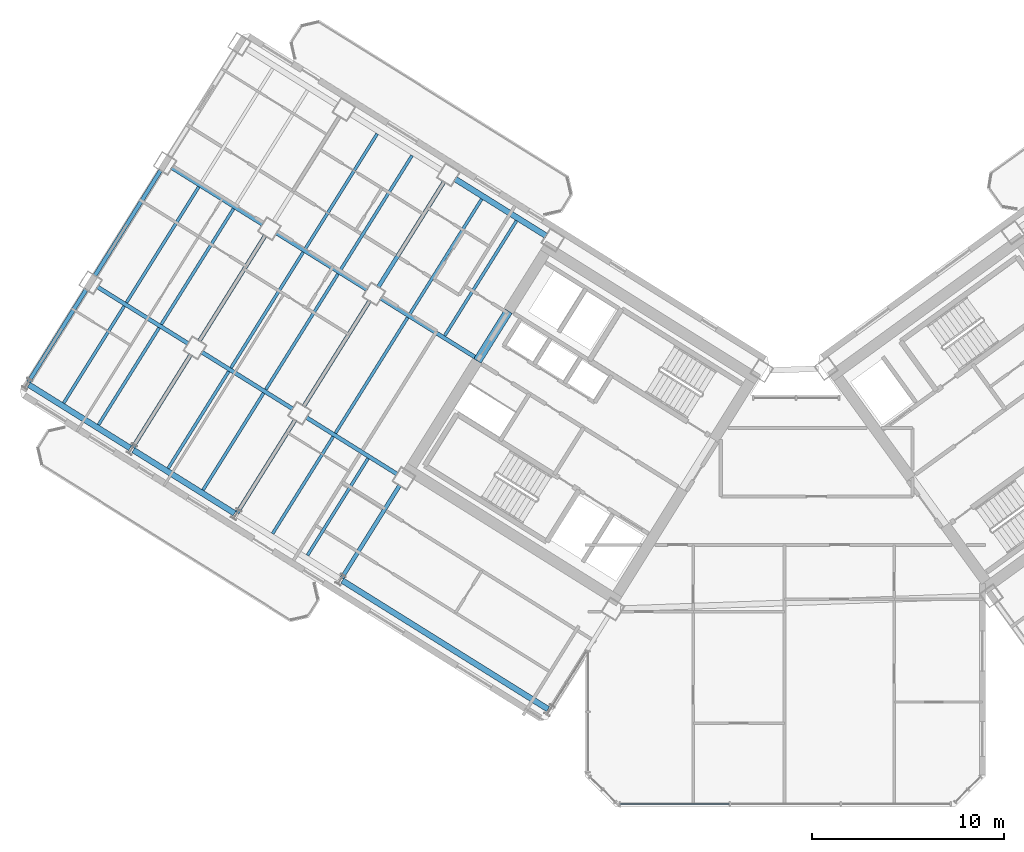
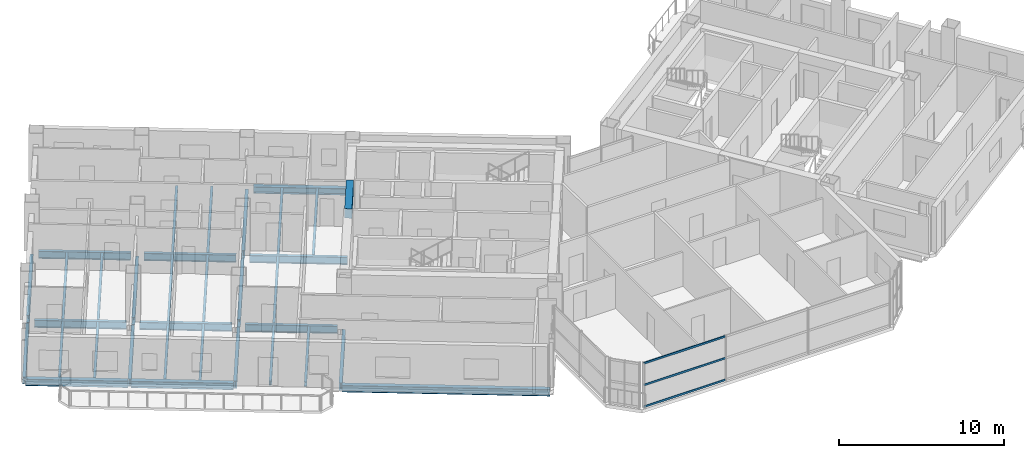
# One storey, part 7 of 25: 34 beams, 3 members, 1 element without a shape of its own.
"""IFC4 building model written with IfcOpenShell, lengths in metres."""

from ifc_helpers import new_model, si_unit, direction, frame, origin, origin_2d, place, context, subcontext, project, spatial, rectangle, hollow_rectangle, i_section, extrude, source, transform, mapped, material, material_profile, profile_set, type_object, element, aggregate, save


model = new_model("IFC4")

# Units and contexts
model_context = context("Model", 3, precision=1e-05, world=origin(), true_north=direction((0.0, 1.0)))
body_context = subcontext(model_context, "Body", "Model", "MODEL_VIEW")
ifc_project = project(units=[si_unit("LENGTHUNIT", "METRE"), si_unit("AREAUNIT", "SQUARE_METRE"), si_unit("VOLUMEUNIT", "CUBIC_METRE"), si_unit("PLANEANGLEUNIT", "RADIAN"), si_unit("MASSUNIT", "GRAM", prefix="KILO")], contexts=[model_context])

# Site, building, storey
site_placement = place(None, origin())
site = spatial("IfcSite", under=ifc_project, at=site_placement, CompositionType="ELEMENT")
building_placement = place(site_placement, origin())
building = spatial("IfcBuilding", under=site, at=building_placement, Name="Tlacorven Tower", CompositionType="ELEMENT")
storey_placement = place(building_placement, frame((0.0, 0.0, 162.300048828125)))
storey = spatial("IfcBuildingStorey", under=building, at=storey_placement, Name="L41", CompositionType="ELEMENT", Elevation=162.300048828125)

# Beams
ifc_material_1 = material(Name="Concrete C60/75", Category="concrete")
ifc_material_profile_1 = material_profile(ifc_material_1, rectangle(XDim=0.449951171875, YDim=0.699951171875, at=origin_2d()), Name="RC 450X700")
ifc_profile_set_1 = profile_set([ifc_material_profile_1], Name="Concrete C60/75")
beam_type_1 = type_object("IfcBeamType", Name="BM-LNT-700", PredefinedType="LINTEL", material=ifc_profile_set_1)
shared_shape_1 = source(origin(), body_context, "Body", "SweptSolid", [
    extrude(rectangle(XDim=0.449951171875, YDim=0.699951171875, at=origin_2d()), origin(), (0.0, 0.0, 1.0), 3.0498046875),
])
beam_1_placement = place(storey_placement, frame((27.622802734375, 27.562255859375, 3.0), z_axis=(-0.529926983584, -0.848043272522, 0.0), x_axis=(0.848043272522, -0.529926983584, 0.0)))
element("IfcBeam", 1, at=beam_1_placement, inside=storey, type_object=beam_type_1, Name="L41 W core coupling lintel beam E2", PredefinedType="LINTEL", context=body_context, shape_type="MappedRepresentation", body=[
    mapped(shared_shape_1, transform((0.0, 0.0, 0.0), scale=1.0)),
])
ifc_material_2 = material(Name="Steel S355J2", Category="steel")
ifc_material_profile_2 = material_profile(ifc_material_2, i_section(OverallWidth=0.300048828125, OverallDepth=0.489990234375, WebThickness=0.011962890625, FlangeThickness=0.02294921875, at=origin_2d()), Name="HEA 500")
ifc_profile_set_2 = profile_set([ifc_material_profile_2], Name="Steel S355J2")
beam_type_2 = type_object("IfcBeamType", Name="BM-SPN-500", PredefinedType="SPANDREL", material=ifc_profile_set_2)
shared_shape_2 = source(origin(), body_context, "Body", "SweptSolid", [
    extrude(i_section(OverallWidth=0.300048828125, OverallDepth=0.489990234375, WebThickness=0.011962890625, FlangeThickness=0.02294921875, at=origin_2d()), origin(), (0.0, 0.0, 1.0), 12.599853515625),
])
beam_2_placement = place(storey_placement, frame((29.67578125, 6.882080078125, -0.4951171875), z_axis=(-0.848045108756, 0.529924045043, 0.0), x_axis=(-0.529924045043, -0.848045108756, 0.0)))
element("IfcBeam", 2, at=beam_2_placement, inside=storey, type_object=beam_type_2, Name="L41 beam BM-L41-WL4-1", PredefinedType="SPANDREL", context=body_context, shape_type="MappedRepresentation", body=[
    mapped(shared_shape_2, transform((0.0, 0.0, 0.0), scale=1.0)),
])
shared_shape_3 = source(origin(), body_context, "Body", "SweptSolid", [
    extrude(i_section(OverallWidth=0.300048828125, OverallDepth=0.489990234375, WebThickness=0.011962890625, FlangeThickness=0.02294921875, at=origin_2d()), origin(), (0.0, 0.0, 1.0), 6.199951171875),
])
for number, where, z_axis, x_axis, name in (
    (3, (13.393310546875, 17.056396484375, -0.4951171875), (-0.848033697614, 0.529942306022, 0.0), (-0.529942306022, -0.848033697614, 0.0), "L41 beam BM-L41-WL4-4"),
    (4, (7.9658203125, 20.447998046875, -0.4951171875), (-0.848051394107, 0.529913986372, 0.0), (-0.529913986372, -0.848051394107, 0.0), "L41 beam BM-L41-WL4-5"),
):
    element("IfcBeam", number, at=place(storey_placement, frame(where, z_axis=z_axis, x_axis=x_axis)), inside=storey, type_object=beam_type_2, Name=name, PredefinedType="SPANDREL", context=body_context, shape_type="MappedRepresentation", body=[
        mapped(shared_shape_3, transform((0.0, 0.0, 0.0), scale=1.0)),
    ])
ifc_material_profile_3 = material_profile(ifc_material_2, i_section(OverallWidth=0.2099609375, OverallDepth=0.550048828125, WebThickness=0.010986328125, FlangeThickness=0.01708984375, at=origin_2d()), Name="IPE 550")
ifc_profile_set_3 = profile_set([ifc_material_profile_3], Name="Steel S355J2")
beam_type_3 = type_object("IfcBeamType", Name="BM-TWR-550", PredefinedType="BEAM", material=ifc_profile_set_3)
shared_shape_4 = source(origin(), body_context, "Body", "SweptSolid", [
    extrude(i_section(OverallWidth=0.2099609375, OverallDepth=0.550048828125, WebThickness=0.010986328125, FlangeThickness=0.01708984375, at=origin_2d()), origin(), (0.0, 0.0, 1.0), 5.599853515625),
])
for number, where, z_axis, x_axis, name in (
    (5, (20.292724609375, 28.6640625, -0.525146484375), (-0.848047285686, 0.529920561254, 0.0), (-0.529920561254, -0.848047285686, 0.0), "L41 beam BM-L41-WL2-4"),
    (6, (21.851806640625, 19.081787109375, -0.525146484375), (-0.848047285686, 0.529920561254, 0.0), (-0.529920561254, -0.848047285686, 0.0), "L41 beam BM-L41-WL3-3"),
    (7, (16.42431640625, 22.473388671875, -0.525146484375), (-0.848047285686, 0.529920561254, 0.0), (-0.529920561254, -0.848047285686, 0.0), "L41 beam BM-L41-WL3-4"),
    (8, (10.996826171875, 25.86474609375, -0.525146484375), (-0.848047285686, 0.529920561254, 0.0), (-0.529920561254, -0.848047285686, 0.0), "L41 beam BM-L41-WL3-5"),
):
    element("IfcBeam", number, at=place(storey_placement, frame(where, z_axis=z_axis, x_axis=x_axis)), inside=storey, type_object=beam_type_3, Name=name, PredefinedType="BEAM", context=body_context, shape_type="MappedRepresentation", body=[
        mapped(shared_shape_4, transform((0.0, 0.0, 0.0), scale=1.0)),
    ])
shared_shape_5 = source(origin(), body_context, "Body", "SweptSolid", [
    extrude(i_section(OverallWidth=0.2099609375, OverallDepth=0.550048828125, WebThickness=0.010986328125, FlangeThickness=0.01708984375, at=origin_2d()), origin(), (0.0, 0.0, 1.0), 5.960205078125),
])
beam_3_placement = place(storey_placement, frame((26.025634765625, 25.081787109375, -0.525146484375), z_axis=(-0.848042024898, 0.529928980153, 0.0), x_axis=(-0.529928980153, -0.848042024898, 0.0)))
element("IfcBeam", 9, at=beam_3_placement, inside=storey, type_object=beam_type_3, Name="L41 beam BM-L41-WL2-3", PredefinedType="BEAM", context=body_context, shape_type="MappedRepresentation", body=[
    mapped(shared_shape_5, transform((0.0, 0.0, 0.0), scale=1.0)),
])
shared_shape_6 = source(origin(), body_context, "Body", "SweptSolid", [
    extrude(i_section(OverallWidth=0.2099609375, OverallDepth=0.550048828125, WebThickness=0.010986328125, FlangeThickness=0.01708984375, at=origin_2d()), origin(), (0.0, 0.0, 1.0), 5.60009765625),
])
beam_4_placement = place(storey_placement, frame((14.865234375, 32.055419921875, -0.525146484375), z_axis=(-0.848027693204, 0.529951914384, 0.0), x_axis=(-0.529951914384, -0.848027693204, 0.0)))
element("IfcBeam", 10, at=beam_4_placement, inside=storey, type_object=beam_type_3, Name="L41 beam BM-L41-WL2-5", PredefinedType="BEAM", context=body_context, shape_type="MappedRepresentation", body=[
    mapped(shared_shape_6, transform((0.0, 0.0, 0.0), scale=1.0)),
])
shared_shape_7 = source(origin(), body_context, "Body", "SweptSolid", [
    extrude(i_section(OverallWidth=0.300048828125, OverallDepth=0.489990234375, WebThickness=0.011962890625, FlangeThickness=0.02294921875, at=origin_2d()), origin(), (0.0, 0.0, 1.0), 5.599853515625),
])
beam_5_placement = place(storey_placement, frame((29.588623046875, 31.46337890625, -0.4951171875), z_axis=(-0.848047285686, 0.529920561254, 0.0), x_axis=(-0.529920561254, -0.848047285686, 0.0)))
element("IfcBeam", 11, at=beam_5_placement, inside=storey, type_object=beam_type_2, Name="L41 beam BM-L41-WL1-3", PredefinedType="SPANDREL", context=body_context, shape_type="MappedRepresentation", body=[
    mapped(shared_shape_7, transform((0.0, 0.0, 0.0), scale=1.0)),
])
shared_shape_8 = source(origin(), body_context, "Body", "SweptSolid", [
    extrude(i_section(OverallWidth=0.2099609375, OverallDepth=0.550048828125, WebThickness=0.010986328125, FlangeThickness=0.01708984375, at=origin_2d()), origin(), (0.0, 0.0, 1.0), 5.7001953125),
])
for number, where, z_axis, x_axis, name in (
    (12, (16.5517578125, 21.922119140625, -0.525146484375), (-0.529937340199, -0.848036800771, 0.0), (0.848036800771, -0.529937340199, 0.0), "L41 beam BM-L41-WT4-3"),
    (13, (11.1240234375, 25.313720703125, -0.525146484375), (-0.529906537151, -0.848056048787, 0.0), (0.848056048787, -0.529906537151, 0.0), "L41 beam BM-L41-WT5-3"),
    (14, (5.696533203125, 28.705078125, -0.525146484375), (-0.529906537151, -0.848056048787, 0.0), (0.848056048787, -0.529906537151, 0.0), "L41 beam BM-L41-WT6-3"),
):
    element("IfcBeam", number, at=place(storey_placement, frame(where, z_axis=z_axis, x_axis=x_axis)), inside=storey, type_object=beam_type_3, Name=name, PredefinedType="BEAM", context=body_context, shape_type="MappedRepresentation", body=[
        mapped(shared_shape_8, transform((0.0, 0.0, 0.0), scale=1.0)),
    ])
shared_shape_9 = source(origin(), body_context, "Body", "SweptSolid", [
    extrude(i_section(OverallWidth=0.2099609375, OverallDepth=0.550048828125, WebThickness=0.010986328125, FlangeThickness=0.01708984375, at=origin_2d()), origin(), (0.0, 0.0, 1.0), 5.699951171875),
])
beam_6_placement = place(storey_placement, frame((21.979248046875, 18.530517578125, -0.525146484375), z_axis=(-0.5299565889, -0.848024771974, 0.0), x_axis=(0.848024771974, -0.5299565889, 0.0)))
element("IfcBeam", 15, at=beam_6_placement, inside=storey, type_object=beam_type_3, Name="L41 beam BM-L41-WT3-2", PredefinedType="BEAM", context=body_context, shape_type="MappedRepresentation", body=[
    mapped(shared_shape_9, transform((0.0, 0.0, 0.0), scale=1.0)),
])
shared_shape_10 = source(origin(), body_context, "Body", "SweptSolid", [
    extrude(i_section(OverallWidth=0.2099609375, OverallDepth=0.550048828125, WebThickness=0.010986328125, FlangeThickness=0.01708984375, at=origin_2d()), origin(), (0.0, 0.0, 1.0), 6.500244140625),
])
beam_7_placement = place(storey_placement, frame((24.28857421875, 34.3037109375, -0.525146484375), z_axis=(-0.529921287515, -0.848046831866, 0.0), x_axis=(0.848046831866, -0.529921287515, 0.0)))
element("IfcBeam", 16, at=beam_7_placement, inside=storey, type_object=beam_type_3, Name="L41 beam BM-L41-WT4-1", PredefinedType="BEAM", context=body_context, shape_type="MappedRepresentation", body=[
    mapped(shared_shape_10, transform((0.0, 0.0, 0.0), scale=1.0)),
])
shared_shape_11 = source(origin(), body_context, "Body", "SweptSolid", [
    extrude(i_section(OverallWidth=0.2099609375, OverallDepth=0.550048828125, WebThickness=0.010986328125, FlangeThickness=0.01708984375, at=origin_2d()), origin(), (0.0, 0.0, 1.0), 6.5),
])
for number, where, z_axis, x_axis, name in (
    (17, (20.420166015625, 28.11279296875, -0.525146484375), (-0.529938166933, -0.848036284146, 0.0), (0.848036284146, -0.529938166933, 0.0), "L41 beam BM-L41-WT4-2"),
    (18, (14.992431640625, 31.50439453125, -0.525146484375), (-0.529894274829, -0.848063710757, 0.0), (0.848063710757, -0.529894274829, 0.0), "L41 beam BM-L41-WT5-2"),
):
    element("IfcBeam", number, at=place(storey_placement, frame(where, z_axis=z_axis, x_axis=x_axis)), inside=storey, type_object=beam_type_3, Name=name, PredefinedType="BEAM", context=body_context, shape_type="MappedRepresentation", body=[
        mapped(shared_shape_11, transform((0.0, 0.0, 0.0), scale=1.0)),
    ])
shared_shape_12 = source(origin(), body_context, "Body", "SweptSolid", [
    extrude(i_section(OverallWidth=0.2099609375, OverallDepth=0.550048828125, WebThickness=0.010986328125, FlangeThickness=0.01708984375, at=origin_2d()), origin(), (0.0, 0.0, 1.0), 6.499755859375),
])
beam_8_placement = place(storey_placement, frame((9.56494140625, 34.895751953125, -0.525146484375), z_axis=(-0.529911154058, -0.848053163902, 0.0), x_axis=(0.848053163902, -0.529911154058, 0.0)))
element("IfcBeam", 19, at=beam_8_placement, inside=storey, type_object=beam_type_3, Name="L41 beam BM-L41-WT6-2", PredefinedType="BEAM", context=body_context, shape_type="MappedRepresentation", body=[
    mapped(shared_shape_12, transform((0.0, 0.0, 0.0), scale=1.0)),
])
ifc_material_profile_4 = material_profile(ifc_material_2, i_section(OverallWidth=0.159912109375, OverallDepth=0.330078125, WebThickness=0.007568359375, FlangeThickness=0.011474609375, at=origin_2d()), Name="IPE 330")
ifc_profile_set_4 = profile_set([ifc_material_profile_4], Name="Steel S355J2")
beam_type_4 = type_object("IfcBeamType", Name="BM-JST-330", PredefinedType="JOIST", material=ifc_profile_set_4)
shared_shape_13 = source(origin(), body_context, "Body", "SweptSolid", [
    extrude(i_section(OverallWidth=0.159912109375, OverallDepth=0.330078125, WebThickness=0.007568359375, FlangeThickness=0.011474609375, at=origin_2d()), origin(), (0.0, 0.0, 1.0), 5.93505859375),
])
for number, where, z_axis, x_axis, name in (
    (20, (20.32373046875, 19.906982421875, -0.4150390625), (-0.529910194899, -0.848053763238, 0.0), (0.848053763238, -0.529910194899, 0.0), "L41 beam BM-L41-WJ3-3-1"),
    (21, (18.514404296875, 21.03759765625, -0.4150390625), (-0.529910194899, -0.848053763238, 0.0), (0.848053763238, -0.529910194899, 0.0), "L41 beam BM-L41-WJ3-3-2"),
    (22, (14.896240234375, 23.298583984375, -0.4150390625), (-0.529910194899, -0.848053763238, 0.0), (0.848053763238, -0.529910194899, 0.0), "L41 beam BM-L41-WJ4-3-1"),
    (23, (9.46875, 26.68994140625, -0.4150390625), (-0.529939778535, -0.848035277053, 0.0), (0.848035277053, -0.529939778535, 0.0), "L41 beam BM-L41-WJ5-3-1"),
    (24, (7.659423828125, 27.820556640625, -0.4150390625), (-0.529910194899, -0.848053763238, 0.0), (0.848053763238, -0.529910194899, 0.0), "L41 beam BM-L41-WJ5-3-2"),
):
    element("IfcBeam", number, at=place(storey_placement, frame(where, z_axis=z_axis, x_axis=x_axis)), inside=storey, type_object=beam_type_4, Name=name, PredefinedType="JOIST", context=body_context, shape_type="MappedRepresentation", body=[
        mapped(shared_shape_13, transform((0.0, 0.0, 0.0), scale=1.0)),
    ])
shared_shape_14 = source(origin(), body_context, "Body", "SweptSolid", [
    extrude(i_section(OverallWidth=0.159912109375, OverallDepth=0.330078125, WebThickness=0.007568359375, FlangeThickness=0.011474609375, at=origin_2d()), origin(), (0.0, 0.0, 1.0), 7.080078125),
])
beam_9_placement = place(storey_placement, frame((18.7646484375, 29.4892578125, -0.4150390625), z_axis=(-0.529933847046, -0.848038983629, 0.0), x_axis=(0.848038983629, -0.529933847046, 0.0)))
element("IfcBeam", 25, at=beam_9_placement, inside=storey, type_object=beam_type_4, Name="L41 beam BM-L41-WJ4-2-1", PredefinedType="JOIST", context=body_context, shape_type="MappedRepresentation", body=[
    mapped(shared_shape_14, transform((0.0, 0.0, 0.0), scale=1.0)),
])
shared_shape_15 = source(origin(), body_context, "Body", "SweptSolid", [
    extrude(i_section(OverallWidth=0.159912109375, OverallDepth=0.330078125, WebThickness=0.007568359375, FlangeThickness=0.011474609375, at=origin_2d()), origin(), (0.0, 0.0, 1.0), 7.03515625),
])
for number, where, z_axis, x_axis, name in (
    (26, (28.03662109375, 32.25048828125, -0.4150390625), (-0.529920952588, -0.848047041153, 0.0), (0.848047041153, -0.529920952588, 0.0), "L41 beam BM-L41-WJ3-1-1"),
    (27, (26.2275390625, 33.380859375, -0.4150390625), (-0.529920952588, -0.848047041153, 0.0), (0.848047041153, -0.529920952588, 0.0), "L41 beam BM-L41-WJ3-1-2"),
    (28, (22.609130859375, 35.641845703125, -0.4150390625), (-0.529920952588, -0.848047041153, 0.0), (0.848047041153, -0.529920952588, 0.0), "L41 beam BM-L41-WJ4-1-1"),
    (29, (20.800048828125, 36.7724609375, -0.4150390625), (-0.529920952588, -0.848047041153, 0.0), (0.848047041153, -0.529920952588, 0.0), "L41 beam BM-L41-WJ4-1-2"),
):
    element("IfcBeam", number, at=place(storey_placement, frame(where, z_axis=z_axis, x_axis=x_axis)), inside=storey, type_object=beam_type_4, Name=name, PredefinedType="JOIST", context=body_context, shape_type="MappedRepresentation", body=[
        mapped(shared_shape_15, transform((0.0, 0.0, 0.0), scale=1.0)),
    ])
shared_shape_16 = source(origin(), body_context, "Body", "SweptSolid", [
    extrude(i_section(OverallWidth=0.159912109375, OverallDepth=0.330078125, WebThickness=0.007568359375, FlangeThickness=0.011474609375, at=origin_2d()), origin(), (0.0, 0.0, 1.0), 5.934814453125),
])
beam_10_placement = place(storey_placement, frame((13.0869140625, 24.428955078125, -0.4150390625), z_axis=(-0.52992868149, -0.848042211529, 0.0), x_axis=(0.848042211529, -0.52992868149, 0.0)))
element("IfcBeam", 30, at=beam_10_placement, inside=storey, type_object=beam_type_4, Name="L41 beam BM-L41-WJ4-3-2", PredefinedType="JOIST", context=body_context, shape_type="MappedRepresentation", body=[
    mapped(shared_shape_16, transform((0.0, 0.0, 0.0), scale=1.0)),
])
shared_shape_17 = source(origin(), body_context, "Body", "SweptSolid", [
    extrude(i_section(OverallWidth=0.159912109375, OverallDepth=0.330078125, WebThickness=0.007568359375, FlangeThickness=0.011474609375, at=origin_2d()), origin(), (0.0, 0.0, 1.0), 7.079833984375),
])
for number, where, z_axis, x_axis, name in (
    (31, (22.3828125, 27.228271484375, -0.4150390625), (-0.529909047265, -0.848054480341, 0.0), (0.848054480341, -0.529909047265, 0.0), "L41 beam BM-L41-WJ3-2-2"),
    (32, (16.955322265625, 30.619873046875, -0.4150390625), (-0.529909047265, -0.848054480341, 0.0), (0.848054480341, -0.529909047265, 0.0), "L41 beam BM-L41-WJ4-2-2"),
    (33, (11.52783203125, 34.01123046875, -0.4150390625), (-0.529909047265, -0.848054480341, 0.0), (0.848054480341, -0.529909047265, 0.0), "L41 beam BM-L41-WJ5-2-2"),
):
    element("IfcBeam", number, at=place(storey_placement, frame(where, z_axis=z_axis, x_axis=x_axis)), inside=storey, type_object=beam_type_4, Name=name, PredefinedType="JOIST", context=body_context, shape_type="MappedRepresentation", body=[
        mapped(shared_shape_17, transform((0.0, 0.0, 0.0), scale=1.0)),
    ])
shared_shape_18 = source(origin(), body_context, "Body", "SweptSolid", [
    extrude(i_section(OverallWidth=0.159912109375, OverallDepth=0.330078125, WebThickness=0.007568359375, FlangeThickness=0.011474609375, at=origin_2d()), origin(), (0.0, 0.0, 1.0), 7.080322265625),
])
beam_11_placement = place(storey_placement, frame((13.337158203125, 32.880859375, -0.4150390625), z_axis=(-0.52991835062, -0.848048667045, 0.0), x_axis=(0.848048667045, -0.52991835062, 0.0)))
element("IfcBeam", 34, at=beam_11_placement, inside=storey, type_object=beam_type_4, Name="L41 beam BM-L41-WJ5-2-1", PredefinedType="JOIST", context=body_context, shape_type="MappedRepresentation", body=[
    mapped(shared_shape_18, transform((0.0, 0.0, 0.0), scale=1.0)),
])

# Curtain wall, members
ifc_material_3 = material(Name="Dark solar low-E double glazing in aluminium frame", Category="aluminium")
curtain_wall_type = type_object("IfcCurtainWallType", Name="CW-TWR-MID", PredefinedType="USERDEFINED", material=ifc_material_3)
curtain_wall_placement = place(storey_placement, origin())
curtain_wall = element("IfcCurtainWall", 35, at=curtain_wall_placement, inside=storey, type_object=curtain_wall_type, Name="L41 CW-TWR-MID Curtain Wall 185", ObjectType="UNITISED CURTAIN WALL", PredefinedType="USERDEFINED")
ifc_material_4 = material(Name="Aluminium 6063-T6 anodised", Category="aluminium")
ifc_material_profile_5 = material_profile(ifc_material_4, hollow_rectangle(XDim=0.06005859375, YDim=0.139892578125, WallThickness=0.00390625, at=origin_2d()), Name="ALU TRANSOM 60X140")
ifc_profile_set_5 = profile_set([ifc_material_profile_5], Name="Aluminium 6063-T6 anodised")
member_type = type_object("IfcMemberType", Name="CWT-02", PredefinedType="USERDEFINED", material=ifc_profile_set_5)
shared_shape_19 = source(origin(), body_context, "Body", "SweptSolid", [
    extrude(hollow_rectangle(XDim=0.06005859375, YDim=0.139892578125, WallThickness=0.00390625, at=origin_2d()), origin(), (0.0, 0.0, 1.0), 5.682373046875),
])
member_1_placement = place(storey_placement, frame((39.1015625, 1.9599609375, 0.070068359375), z_axis=(-1.0, 0.0, 0.0), x_axis=(0.0, -1.0, 0.0)))
member_1 = element("IfcMember", 36, at=member_1_placement, type_object=member_type, Name="CW-L41-185 Transom 7", ObjectType="TRANSOM", PredefinedType="USERDEFINED", context=body_context, shape_type="MappedRepresentation", body=[
    mapped(shared_shape_19, transform((0.0, 0.0, 0.0), scale=1.0)),
])
member_2_placement = place(storey_placement, frame((39.1015625, 1.9599609375, 1.675048828125), z_axis=(-1.0, 0.0, 0.0), x_axis=(0.0, -1.0, 0.0)))
member_2 = element("IfcMember", 37, at=member_2_placement, type_object=member_type, Name="CW-L41-185 Transom 8", ObjectType="TRANSOM", PredefinedType="USERDEFINED", context=body_context, shape_type="MappedRepresentation", body=[
    mapped(shared_shape_19, transform((0.0, 0.0, 0.0), scale=1.0)),
])
member_3_placement = place(storey_placement, frame((39.1015625, 1.9599609375, 3.280029296875), z_axis=(-1.0, 0.0, 0.0), x_axis=(0.0, -1.0, 0.0)))
member_3 = element("IfcMember", 38, at=member_3_placement, type_object=member_type, Name="CW-L41-185 Transom 9", ObjectType="TRANSOM", PredefinedType="USERDEFINED", context=body_context, shape_type="MappedRepresentation", body=[
    mapped(shared_shape_19, transform((0.0, 0.0, 0.0), scale=1.0)),
])
aggregate(curtain_wall, [member_1, member_2, member_3])

save(model, "model.ifc")
